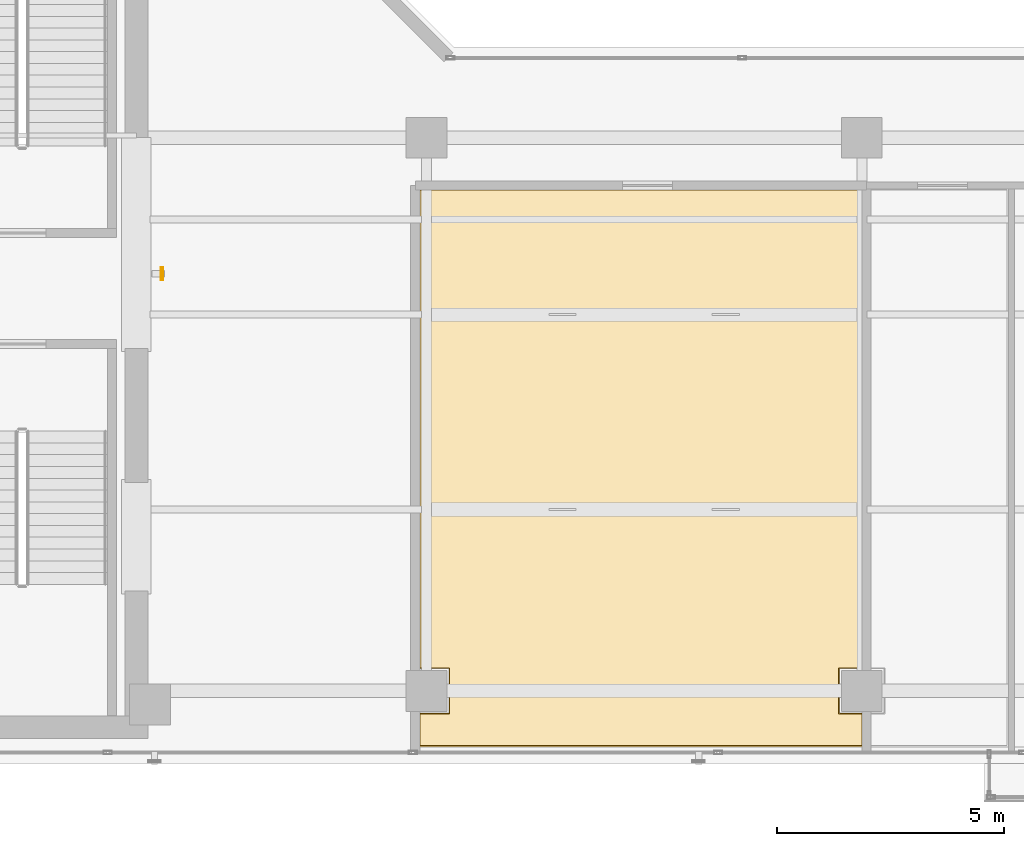
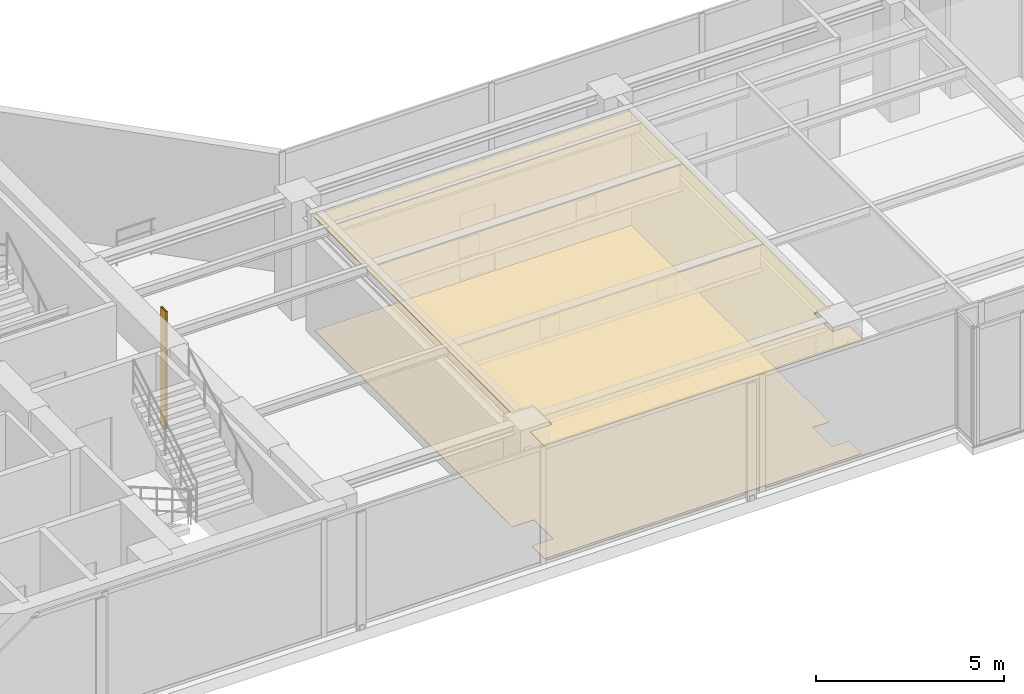
# One storey, part 29 of 32: 2 coverings, 1 shading device.
"""IFC4 building model written with IfcOpenShell, lengths in metres."""

import ifcopenshell
import ifcopenshell.guid

model = None  # the IFC model being written
_history = None  # IfcOwnerHistory: only IFC2X3 demands one
_inside = {}  # id of a spatial element -> (the spatial element, [elements in it])
_under = {}  # id of a project, library or spatial element -> (it, [spatial elements below it])
_declared = {}  # id of a project -> (the project, [libraries it declares])
_typed = {}  # id of a type object -> (the type object, [elements of that type])
_made_of = {}  # id of a material, layer set ... -> (it, [elements and type objects made of it])


def new_model(schema):
    """Start an empty IFC model of exactly this schema.

    Asked for "IFC4X3", IfcOpenShell would pick the latest addendum, in which some entities
    have other attributes; the version numbers below select the first issue.
    IFC2X3 requires an IfcOwnerHistory on every rooted entity: one is made here for all.
    """
    global model, _history
    if schema == "IFC4X3":
        model = ifcopenshell.file(schema_version=(4, 3, 0, 0))
    else:
        model = ifcopenshell.file(schema=schema)
    _inside.clear()
    _under.clear()
    _declared.clear()
    _typed.clear()
    _made_of.clear()
    _history = None
    if model.schema == "IFC2X3":
        org = make("IfcOrganization", Name="unknown")
        user = make(
            "IfcPersonAndOrganization",
            ThePerson=make("IfcPerson", FamilyName="unknown"),
            TheOrganization=org,
        )
        app = make(
            "IfcApplication",
            ApplicationDeveloper=org,
            Version="unknown",
            ApplicationFullName="unknown",
            ApplicationIdentifier="unknown",
        )
        _history = make(
            "IfcOwnerHistory",
            OwningUser=user,
            OwningApplication=app,
            ChangeAction="ADDED",
            CreationDate=0,
        )
    return model


def make(cls, **values):
    """One entity of the class cls with the attributes given. An attribute that is None is left unset."""
    return model.create_entity(
        cls, **{name: value for name, value in values.items() if value is not None}
    )


def rooted(cls, **values):
    """An entity with a GlobalId (a new one), such as an element, a storey or a relation."""
    return make(cls, GlobalId=ifcopenshell.guid.new(), OwnerHistory=_history, **values)


def si_unit(unit_type, name, prefix=None):
    """IfcSIUnit, for example si_unit("LENGTHUNIT", "METRE", prefix="MILLI")."""
    return make("IfcSIUnit", UnitType=unit_type, Prefix=prefix, Name=name)


def assignment(units):
    """IfcUnitAssignment: the units of a project."""
    return None if units is None else make("IfcUnitAssignment", Units=units)


def point(xyz):
    """IfcCartesianPoint."""
    return None if xyz is None else make("IfcCartesianPoint", Coordinates=xyz)


def direction(xyz):
    """IfcDirection."""
    return None if xyz is None else make("IfcDirection", DirectionRatios=xyz)


def frame(location, z_axis=None, x_axis=None):
    """IfcAxis2Placement3D, a coordinate frame: its origin and axes. An axis left out is left unset."""
    return make(
        "IfcAxis2Placement3D",
        Location=point(location),
        Axis=direction(z_axis),
        RefDirection=direction(x_axis),
    )


def frame_2d(location, x_axis=None):
    """IfcAxis2Placement2D, a coordinate frame in the plane: its origin and x axis."""
    return make(
        "IfcAxis2Placement2D", Location=point(location), RefDirection=direction(x_axis)
    )


def origin():
    """The frame at (0, 0, 0) with its axes left unset."""
    return frame((0.0, 0.0, 0.0))


def origin_2d():
    """The frame at (0, 0) in the plane with its x axis left unset."""
    return frame_2d((0.0, 0.0))


def place(relative_to, where):
    """IfcLocalPlacement: puts the frame where relative to a parent placement (None: the world)."""
    return make(
        "IfcLocalPlacement", PlacementRelTo=relative_to, RelativePlacement=where
    )


def context(
    kind, dimensions, precision=None, world=None, true_north=None, identifier=None
):
    """IfcGeometricRepresentationContext, for example the 3D "Model" context."""
    return make(
        "IfcGeometricRepresentationContext",
        ContextIdentifier=identifier,
        ContextType=kind,
        CoordinateSpaceDimension=dimensions,
        Precision=precision,
        WorldCoordinateSystem=world,
        TrueNorth=true_north,
    )


def subcontext(parent, identifier, kind, view, scale=None):
    """IfcGeometricRepresentationSubContext, for example "Body" below "Model"."""
    return make(
        "IfcGeometricRepresentationSubContext",
        ContextIdentifier=identifier,
        ContextType=kind,
        ParentContext=parent,
        TargetScale=scale,
        TargetView=view,
    )


def project(units=None, contexts=None):
    """IfcProject with its units and contexts."""
    return rooted(
        "IfcProject",
        Name="project",
        RepresentationContexts=contexts,
        UnitsInContext=assignment(units),
    )


def spatial(cls, under=None, at=None, **own):
    """A site, building, storey or space (cls), placed at a placement, below another one or the project."""
    s = rooted(cls, ObjectPlacement=at, **own)
    if under is not None:
        _under.setdefault(under.id(), (under, []))[1].append(s)
    return s


def polyline(points):
    """IfcPolyline through the points."""
    return make("IfcPolyline", Points=[point(p) for p in points])


def profile(cls, at=None, kind="AREA", **sizes):
    """A parametric profile (cls). Its sizes go by their IFC names, for example OverallWidth=200.0."""
    return make(cls, ProfileType=kind, Position=at, **sizes)


def hollow_rectangle(**sizes):
    """IfcRectangleHollowProfileDef."""
    return profile("IfcRectangleHollowProfileDef", **sizes)


def outline(outer, holes=None, kind="AREA"):
    """IfcArbitraryClosedProfileDef: a profile drawn as a closed curve; with holes, ...WithVoids."""
    if holes is None:
        return make("IfcArbitraryClosedProfileDef", ProfileType=kind, OuterCurve=outer)
    return make(
        "IfcArbitraryProfileDefWithVoids",
        ProfileType=kind,
        OuterCurve=outer,
        InnerCurves=holes,
    )


def extrude(swept, where, along, depth):
    """IfcExtrudedAreaSolid: the profile swept, set in the frame where, extruded along a direction by depth."""
    return make(
        "IfcExtrudedAreaSolid",
        SweptArea=swept,
        Position=where,
        ExtrudedDirection=direction(along),
        Depth=depth,
    )


def shape(context_of_items, identifier, shape_type, items):
    """IfcShapeRepresentation: the items that make up one representation, for example the "Body"."""
    return make(
        "IfcShapeRepresentation",
        ContextOfItems=context_of_items,
        RepresentationIdentifier=identifier,
        RepresentationType=shape_type,
        Items=items,
    )


def material(Name=None, Category=None):
    """IfcMaterial."""
    return make("IfcMaterial", Name=Name, Category=Category)


def layer(
    of_material, thickness, ventilated=None, Name=None, Category=None, Priority=None
):
    """IfcMaterialLayer: one layer of a wall or slab, of a material (None: an air gap)."""
    return make(
        "IfcMaterialLayer",
        Material=of_material,
        LayerThickness=thickness,
        IsVentilated=ventilated,
        Name=Name,
        Category=Category,
        Priority=Priority,
    )


def layer_set(layers, Name=None):
    """IfcMaterialLayerSet."""
    return make("IfcMaterialLayerSet", MaterialLayers=layers, LayerSetName=Name)


def material_profile(
    of_material, cross_section, Name=None, Category=None, Priority=None
):
    """IfcMaterialProfile: a cross section and its material."""
    return make(
        "IfcMaterialProfile",
        Name=Name,
        Material=of_material,
        Profile=cross_section,
        Priority=Priority,
        Category=Category,
    )


def profile_set(profiles, Name=None, composite=None):
    """IfcMaterialProfileSet."""
    return make(
        "IfcMaterialProfileSet",
        Name=Name,
        MaterialProfiles=profiles,
        CompositeProfile=composite,
    )


def made_of(thing, what):
    """Note that an element or type object is made of a material, layer set ...; save() writes the relation."""
    if what is not None:
        _made_of.setdefault(what.id(), (what, []))[1].append(thing)
    return thing


def type_object(cls, material=None, **own):
    """A type object (cls), such as IfcWallType, which elements share."""
    return made_of(rooted(cls, **own), material)


def element(
    cls,
    number,
    at=None,
    inside=None,
    cuts=None,
    type_object=None,
    material=None,
    context=None,
    identifier="Body",
    shape_type=None,
    held_by="IfcProductDefinitionShape",
    body=None,
    shapes=None,
    **own,
):
    """One element of the class cls, such as IfcWall. Its Tag is "e" and its number.

    at: its placement. inside: the storey or other place that contains it. cuts: it is an
    opening in that element (IfcRelVoidsElement). A single representation is given by context,
    identifier, shape_type and body (its items); several are given by shapes. held_by: the class
    of the entity that holds the representations. save() writes the other relations.
    """
    e = rooted(cls, Tag="e%d" % number, ObjectPlacement=at, **own)
    if body is not None:
        shapes = [shape(context, identifier, shape_type, body)]
    if shapes is not None:
        e.Representation = make(held_by, Representations=shapes)
    if inside is not None:
        _inside.setdefault(inside.id(), (inside, []))[1].append(e)
    if cuts is not None:
        rooted(
            "IfcRelVoidsElement", RelatingBuildingElement=cuts, RelatedOpeningElement=e
        )
    if type_object is not None:
        _typed.setdefault(type_object.id(), (type_object, []))[1].append(e)
    return made_of(e, material)


def aggregate(whole, parts):
    """IfcRelAggregates: a whole, such as a stair, and the parts it consists of."""
    return rooted("IfcRelAggregates", RelatingObject=whole, RelatedObjects=parts)


def save(model, path):
    """Write the relations noted so far, then the file.

    IfcRelAggregates (storeys below a building ...), IfcRelContainedInSpatialStructure (elements
    in a storey), IfcRelDefinesByType, IfcRelAssociatesMaterial and IfcRelDeclares: one each for
    every whole, place, type object, material and project.
    """
    for whole, parts in _under.values():
        aggregate(whole, parts)
    for where, things in _inside.values():
        rooted(
            "IfcRelContainedInSpatialStructure",
            RelatedElements=things,
            RelatingStructure=where,
        )
    for kind, things in _typed.values():
        rooted("IfcRelDefinesByType", RelatedObjects=things, RelatingType=kind)
    for what, things in _made_of.values():
        rooted("IfcRelAssociatesMaterial", RelatedObjects=things, RelatingMaterial=what)
    for by, libraries in _declared.values():
        rooted("IfcRelDeclares", RelatingContext=by, RelatedDefinitions=libraries)
    model.write(path)


model = new_model("IFC4")

# Units and contexts
model_context = context("Model", 3, precision=1e-05, world=origin(), true_north=direction((0.0, 1.0)))
body_context = subcontext(model_context, "Body", "Model", "MODEL_VIEW")
ifc_project = project(units=[si_unit("LENGTHUNIT", "METRE"), si_unit("AREAUNIT", "SQUARE_METRE"), si_unit("VOLUMEUNIT", "CUBIC_METRE"), si_unit("PLANEANGLEUNIT", "RADIAN"), si_unit("MASSUNIT", "GRAM", prefix="KILO")], contexts=[model_context])

# Site, building, storey
site_placement = place(None, origin())
site = spatial("IfcSite", under=ifc_project, at=site_placement, CompositionType="ELEMENT")
building_placement = place(site_placement, origin())
building = spatial("IfcBuilding", under=site, at=building_placement, Name="Kolvaren Waterfront Exchange", CompositionType="ELEMENT")
storey_placement = place(building_placement, frame((0.0, 0.0, 352.0)))
storey = spatial("IfcBuildingStorey", under=building, at=storey_placement, Name="L90", CompositionType="ELEMENT", Elevation=352.0)

# Covering
ifc_material_1 = material(Name="Mineral fibre acoustic ceiling tile")
ifc_layer_1 = layer(ifc_material_1, 0.02490234375, Name="Mineral fibre acoustic ceiling tile")
ifc_layer_set_1 = layer_set([ifc_layer_1], Name="Mineral fibre acoustic ceiling tile")
covering_type_1 = type_object("IfcCoveringType", Name="ARC-CEIL-ACOUSTIC-25", PredefinedType="CEILING", material=ifc_layer_set_1)
covering_1_placement = place(storey_placement, frame((0.0, 0.0, 3.705078125)))
element("IfcCovering", 1, at=covering_1_placement, inside=storey, type_object=covering_type_1, Name="L90 acoustic suspended ceiling 1", PredefinedType="CEILING", context=body_context, shape_type="SweptSolid", body=[
    extrude(outline(polyline([(27.014892578125, 5.68994140625), (27.68994140625, 5.68994140625), (27.68994140625, 4.7099609375), (27.014892578125, 4.7099609375), (27.014892578125, 3.965087890625), (36.8349609375, 3.965087890625), (36.8349609375, 4.7099609375), (36.31005859375, 4.7099609375), (36.31005859375, 5.68994140625), (36.8349609375, 5.68994140625), (36.8349609375, 16.284912109375), (27.014892578125, 16.284912109375), (27.014892578125, 5.68994140625)])), origin(), (0.0, 0.0, 1.0), 0.02490234375),
])

# Shading device
ifc_material_2 = material(Name="Anodised bronze aluminium 6063-T6", Category="aluminium")
ifc_material_profile = material_profile(ifc_material_2, hollow_rectangle(XDim=0.054931640625, YDim=0.280029296875, WallThickness=0.00439453125, at=origin_2d()), Name="BRZ-FIN-280x55x4.5")
ifc_profile_set = profile_set([ifc_material_profile], Name="Anodised bronze aluminium 6063-T6")
shading_device_type = type_object("IfcShadingDeviceType", Name="ARC-FIN-280", PredefinedType="USERDEFINED", material=ifc_profile_set)
shading_device_placement = place(storey_placement, frame((21.360107421875, 14.39990234375, 0.0), z_axis=(0.0, 0.0, 1.0), x_axis=(1.0, 0.0, 0.0)))
element("IfcShadingDevice", 2, at=shading_device_placement, inside=storey, type_object=shading_device_type, Name="L90 anodised bronze solar shading fin FIN-L90-E1", ObjectType="SOLAR FIN", PredefinedType="USERDEFINED", context=body_context, shape_type="SweptSolid", body=[
    extrude(hollow_rectangle(XDim=0.054931640625, YDim=0.280029296875, WallThickness=0.00439453125, at=origin_2d()), origin(), (0.0, 0.0, 1.0), 3.820068359375),
])

# Covering
ifc_material_3 = material(Name="Slip-resistant porcelain tile")
ifc_layer_2 = layer(ifc_material_3, 0.014892578125, Name="Slip-resistant porcelain tile")
ifc_layer_set_2 = layer_set([ifc_layer_2], Name="Slip-resistant porcelain tile")
covering_type_2 = type_object("IfcCoveringType", Name="ARC-FLR-PORC-15", PredefinedType="FLOORING", material=ifc_layer_set_2)
covering_2_placement = place(storey_placement, origin())
element("IfcCovering", 3, at=covering_2_placement, inside=storey, type_object=covering_type_2, Name="L90 floor finish 1", PredefinedType="FLOORING", context=body_context, shape_type="SweptSolid", body=[
    extrude(outline(polyline([(27.050048828125, 4.68994140625), (27.050048828125, 4.0), (36.800048828125, 4.0), (36.800048828125, 4.68994140625), (36.2900390625, 4.68994140625), (36.2900390625, 5.7099609375), (36.800048828125, 5.7099609375), (36.800048828125, 16.25), (27.050048828125, 16.25), (27.050048828125, 5.7099609375), (27.7099609375, 5.7099609375), (27.7099609375, 4.68994140625), (27.050048828125, 4.68994140625)])), origin(), (0.0, 0.0, 1.0), 0.014892578125),
])

save(model, "model.ifc")
